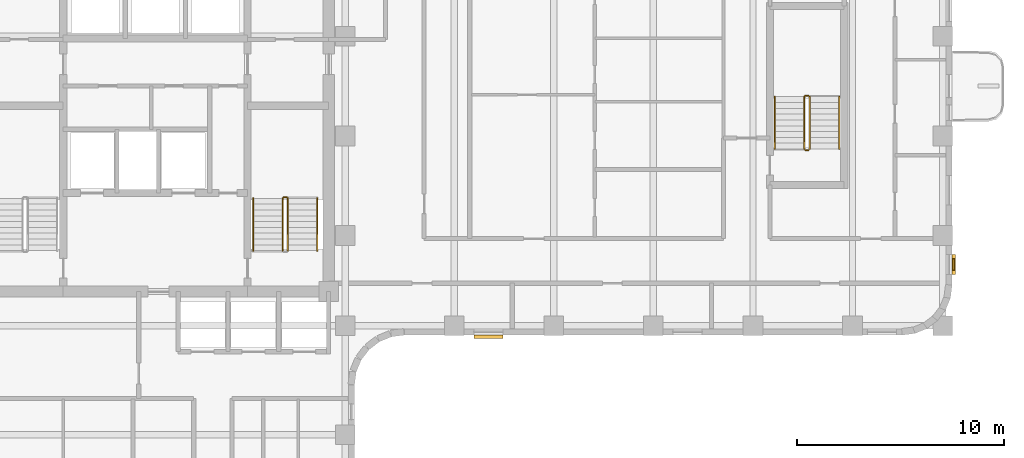
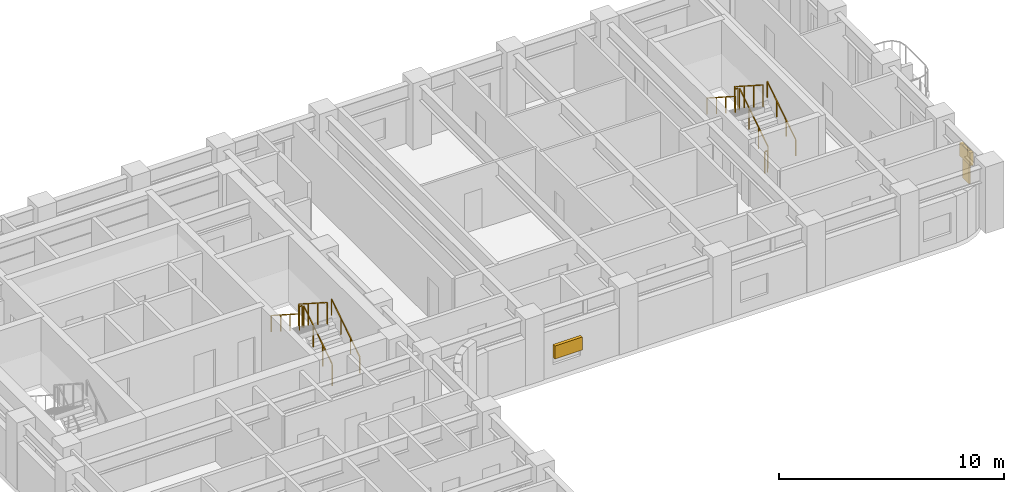
# One storey, part 9 of 10: 11 railings, 3 shading devices.
"""IFC4 building model written with IfcOpenShell, lengths in metres."""

from ifc_helpers import new_model, si_unit, direction, frame, origin, origin_2d, place, context, subcontext, project, spatial, rectangle, extrude, material, type_object, element, save


model = new_model("IFC4")

# Units and contexts
model_context = context("Model", 3, precision=1e-05, world=origin(), true_north=direction((0.0, 1.0)))
body_context = subcontext(model_context, "Body", "Model", "MODEL_VIEW")
ifc_project = project(units=[si_unit("LENGTHUNIT", "METRE"), si_unit("AREAUNIT", "SQUARE_METRE"), si_unit("VOLUMEUNIT", "CUBIC_METRE"), si_unit("PLANEANGLEUNIT", "RADIAN"), si_unit("MASSUNIT", "GRAM", prefix="KILO")], contexts=[model_context])

# Site, building, storey
site_placement = place(None, origin())
site = spatial("IfcSite", under=ifc_project, at=site_placement, CompositionType="ELEMENT")
building_placement = place(site_placement, origin())
building = spatial("IfcBuilding", under=site, at=building_placement, Name="Orvandelia Arch Residences", CompositionType="ELEMENT")
storey_placement = place(building_placement, frame((0.0, 0.0, 132.39990234375)))
storey = spatial("IfcBuildingStorey", under=building, at=storey_placement, Name="L34", CompositionType="ELEMENT", Elevation=132.39990234375)

# Railings
ifc_material_1 = material(Name="Brushed Stainless Steel 304", Category="steel")
railing_type_1 = type_object("IfcRailingType", Name="RL-STAIR-GD1120", PredefinedType="GUARDRAIL", material=ifc_material_1)
railing_1_placement = place(storey_placement, frame((20.780029296875, 32.8701171875, 0.18017578125)))
element("IfcRailing", 1, at=railing_1_placement, inside=storey, type_object=railing_type_1, Name="L34 ST-2 stair guard 1", PredefinedType="GUARDRAIL", context=body_context, shape_type="SweptSolid", body=[
    extrude(rectangle(XDim=0.048095703125, YDim=0.048095703125, at=origin_2d()), frame((0.0, 0.0, 1.17578125), z_axis=(0.0, 0.841175827307, 0.540761710511), x_axis=(-1.0, 0.0, 0.0)), (0.0, 0.0, 1.0), 2.99560546875),
    extrude(rectangle(XDim=0.0419921875, YDim=0.0419921875, at=origin_2d()), origin(), (0.0, 0.0, 1.0), 1.15185546875),
    extrude(rectangle(XDim=0.0419921875, YDim=0.0419921875, at=origin_2d()), frame((0.0, 0.83984375, 0.5400390625)), (0.0, 0.0, 1.0), 1.15185546875),
    extrude(rectangle(XDim=0.0419921875, YDim=0.0419921875, at=origin_2d()), frame((0.0, 1.679931640625, 1.079833984375)), (0.0, 0.0, 1.0), 1.15185546875),
    extrude(rectangle(XDim=0.0419921875, YDim=0.0419921875, at=origin_2d()), frame((0.0, 2.519775390625, 1.619873046875)), (0.0, 0.0, 1.0), 1.15185546875),
])
railing_2_placement = place(storey_placement, frame((20.72998046875, 35.43994140625, 1.800048828125)))
element("IfcRailing", 2, at=railing_2_placement, inside=storey, type_object=railing_type_1, Name="L34 ST-2 stair guard 2", PredefinedType="GUARDRAIL", context=body_context, shape_type="SweptSolid", body=[
    extrude(rectangle(XDim=0.048095703125, YDim=0.048095703125, at=origin_2d()), frame((0.0, 0.0, 1.17578125), z_axis=(-1.0, 0.0, 0.0), x_axis=(0.0, -1.0, 0.0)), (0.0, 0.0, 1.0), 0.14990234375),
    extrude(rectangle(XDim=0.0419921875, YDim=0.0419921875, at=origin_2d()), origin(), (0.0, 0.0, 1.0), 1.15185546875),
    extrude(rectangle(XDim=0.0419921875, YDim=0.0419921875, at=origin_2d()), frame((-0.14990234375, 0.0, 0.0)), (0.0, 0.0, 1.0), 1.15185546875),
])
railing_3_placement = place(storey_placement, frame((20.530029296875, 35.389892578125, 1.97998046875)))
element("IfcRailing", 3, at=railing_3_placement, inside=storey, type_object=railing_type_1, Name="L34 ST-2 stair guard 3", PredefinedType="GUARDRAIL", context=body_context, shape_type="SweptSolid", body=[
    extrude(rectangle(XDim=0.048095703125, YDim=0.048095703125, at=origin_2d()), frame((0.0, 0.0, 1.17578125), z_axis=(0.0, -0.841138753965, 0.540819375188), x_axis=(1.0, 0.0, 0.0)), (0.0, 0.0, 1.0), 2.99560546875),
    extrude(rectangle(XDim=0.0419921875, YDim=0.0419921875, at=origin_2d()), origin(), (0.0, 0.0, 1.0), 1.15185546875),
    extrude(rectangle(XDim=0.0419921875, YDim=0.0419921875, at=origin_2d()), frame((0.0, -0.83984375, 0.5400390625)), (0.0, 0.0, 1.0), 1.15185546875),
    extrude(rectangle(XDim=0.0419921875, YDim=0.0419921875, at=origin_2d()), frame((0.0, -1.679931640625, 1.080078125)), (0.0, 0.0, 1.0), 1.15185546875),
    extrude(rectangle(XDim=0.0419921875, YDim=0.0419921875, at=origin_2d()), frame((0.0, -2.519775390625, 1.6201171875)), (0.0, 0.0, 1.0), 1.15185546875),
])
railing_4_placement = place(storey_placement, frame((45.929931640625, 37.77001953125, 0.18017578125)))
element("IfcRailing", 4, at=railing_4_placement, inside=storey, type_object=railing_type_1, Name="L34 ST-3 stair guard 1", PredefinedType="GUARDRAIL", context=body_context, shape_type="SweptSolid", body=[
    extrude(rectangle(XDim=0.048095703125, YDim=0.048095703125, at=origin_2d()), frame((0.0, 0.0, 1.17578125), z_axis=(0.0, 0.841199657755, 0.540724639528), x_axis=(-1.0, 0.0, 0.0)), (0.0, 0.0, 1.0), 2.995849609375),
    extrude(rectangle(XDim=0.0419921875, YDim=0.0419921875, at=origin_2d()), origin(), (0.0, 0.0, 1.0), 1.15185546875),
    extrude(rectangle(XDim=0.0419921875, YDim=0.0419921875, at=origin_2d()), frame((0.0, 0.840087890625, 0.5400390625)), (0.0, 0.0, 1.0), 1.15185546875),
    extrude(rectangle(XDim=0.0419921875, YDim=0.0419921875, at=origin_2d()), frame((0.0, 1.679931640625, 1.079833984375)), (0.0, 0.0, 1.0), 1.15185546875),
    extrude(rectangle(XDim=0.0419921875, YDim=0.0419921875, at=origin_2d()), frame((0.0, 2.52001953125, 1.619873046875)), (0.0, 0.0, 1.0), 1.15185546875),
])
railing_5_placement = place(storey_placement, frame((45.8798828125, 40.340087890625, 1.800048828125)))
element("IfcRailing", 5, at=railing_5_placement, inside=storey, type_object=railing_type_1, Name="L34 ST-3 stair guard 2", PredefinedType="GUARDRAIL", context=body_context, shape_type="SweptSolid", body=[
    extrude(rectangle(XDim=0.048095703125, YDim=0.048095703125, at=origin_2d()), frame((0.0, 0.0, 1.17578125), z_axis=(-1.0, 0.0, 0.0), x_axis=(0.0, -1.0, 0.0)), (0.0, 0.0, 1.0), 0.14990234375),
    extrude(rectangle(XDim=0.0419921875, YDim=0.0419921875, at=origin_2d()), origin(), (0.0, 0.0, 1.0), 1.15185546875),
    extrude(rectangle(XDim=0.0419921875, YDim=0.0419921875, at=origin_2d()), frame((-0.14990234375, 0.0, 0.0)), (0.0, 0.0, 1.0), 1.15185546875),
])
railing_6_placement = place(storey_placement, frame((45.679931640625, 40.2900390625, 1.97998046875)))
element("IfcRailing", 6, at=railing_6_placement, inside=storey, type_object=railing_type_1, Name="L34 ST-3 stair guard 3", PredefinedType="GUARDRAIL", context=body_context, shape_type="SweptSolid", body=[
    extrude(rectangle(XDim=0.048095703125, YDim=0.048095703125, at=origin_2d()), frame((0.0, 0.0, 1.17578125), z_axis=(0.0, -0.841162588446, 0.540782303519), x_axis=(1.0, 0.0, 0.0)), (0.0, 0.0, 1.0), 2.995849609375),
    extrude(rectangle(XDim=0.0419921875, YDim=0.0419921875, at=origin_2d()), origin(), (0.0, 0.0, 1.0), 1.15185546875),
    extrude(rectangle(XDim=0.0419921875, YDim=0.0419921875, at=origin_2d()), frame((0.0, -0.840087890625, 0.5400390625)), (0.0, 0.0, 1.0), 1.15185546875),
    extrude(rectangle(XDim=0.0419921875, YDim=0.0419921875, at=origin_2d()), frame((0.0, -1.679931640625, 1.080078125)), (0.0, 0.0, 1.0), 1.15185546875),
    extrude(rectangle(XDim=0.0419921875, YDim=0.0419921875, at=origin_2d()), frame((0.0, -2.52001953125, 1.6201171875)), (0.0, 0.0, 1.0), 1.15185546875),
])
railing_7_placement = place(storey_placement, frame((45.8798828125, 37.719970703125, 0.0)))
element("IfcRailing", 7, at=railing_7_placement, inside=storey, type_object=railing_type_1, Name="L34 ST-3 stair guard 4", PredefinedType="GUARDRAIL", context=body_context, shape_type="SweptSolid", body=[
    extrude(rectangle(XDim=0.048095703125, YDim=0.048095703125, at=origin_2d()), frame((0.0, 0.0, 1.17578125), z_axis=(-1.0, 0.0, 0.0), x_axis=(0.0, -1.0, 0.0)), (0.0, 0.0, 1.0), 0.14990234375),
    extrude(rectangle(XDim=0.0419921875, YDim=0.0419921875, at=origin_2d()), origin(), (0.0, 0.0, 1.0), 1.15185546875),
    extrude(rectangle(XDim=0.0419921875, YDim=0.0419921875, at=origin_2d()), frame((-0.14990234375, 0.0, 0.0)), (0.0, 0.0, 1.0), 1.15185546875),
])
railing_type_2 = type_object("IfcRailingType", Name="RL-STAIR-HR920", PredefinedType="HANDRAIL", material=ifc_material_1)
railing_8_placement = place(storey_placement, frame((22.199951171875, 32.8701171875, 0.360107421875)))
element("IfcRailing", 8, at=railing_8_placement, inside=storey, type_object=railing_type_2, Name="L34 ST-2 stair handrail 1", PredefinedType="HANDRAIL", context=body_context, shape_type="SweptSolid", body=[
    extrude(rectangle(XDim=0.048095703125, YDim=0.048095703125, at=origin_2d()), frame((0.0, 0.0, 0.8759765625), z_axis=(0.0, 0.841175827307, 0.540761710511), x_axis=(-1.0, 0.0, 0.0)), (0.0, 0.0, 1.0), 2.99560546875),
    extrude(rectangle(XDim=0.0419921875, YDim=0.0419921875, at=origin_2d()), origin(), (0.0, 0.0, 1.0), 0.851806640625),
    extrude(rectangle(XDim=0.0419921875, YDim=0.0419921875, at=origin_2d()), frame((0.0, 0.83984375, 0.5400390625)), (0.0, 0.0, 1.0), 0.851806640625),
    extrude(rectangle(XDim=0.0419921875, YDim=0.0419921875, at=origin_2d()), frame((0.0, 1.679931640625, 1.079833984375)), (0.0, 0.0, 1.0), 0.851806640625),
    extrude(rectangle(XDim=0.0419921875, YDim=0.0419921875, at=origin_2d()), frame((0.0, 2.519775390625, 1.619873046875)), (0.0, 0.0, 1.0), 0.851806640625),
])
railing_9_placement = place(storey_placement, frame((19.110107421875, 35.389892578125, 2.16015625)))
element("IfcRailing", 9, at=railing_9_placement, inside=storey, type_object=railing_type_2, Name="L34 ST-2 stair handrail 2", PredefinedType="HANDRAIL", context=body_context, shape_type="SweptSolid", body=[
    extrude(rectangle(XDim=0.048095703125, YDim=0.048095703125, at=origin_2d()), frame((0.0, 0.0, 0.8759765625), z_axis=(0.0, -0.841175827307, 0.540761710511), x_axis=(1.0, 0.0, 0.0)), (0.0, 0.0, 1.0), 2.99560546875),
    extrude(rectangle(XDim=0.0419921875, YDim=0.0419921875, at=origin_2d()), origin(), (0.0, 0.0, 1.0), 0.851806640625),
    extrude(rectangle(XDim=0.0419921875, YDim=0.0419921875, at=origin_2d()), frame((0.0, -0.83984375, 0.5400390625)), (0.0, 0.0, 1.0), 0.851806640625),
    extrude(rectangle(XDim=0.0419921875, YDim=0.0419921875, at=origin_2d()), frame((0.0, -1.679931640625, 1.079833984375)), (0.0, 0.0, 1.0), 0.851806640625),
    extrude(rectangle(XDim=0.0419921875, YDim=0.0419921875, at=origin_2d()), frame((0.0, -2.519775390625, 1.619873046875)), (0.0, 0.0, 1.0), 0.851806640625),
])
railing_10_placement = place(storey_placement, frame((47.35009765625, 37.77001953125, 0.360107421875)))
element("IfcRailing", 10, at=railing_10_placement, inside=storey, type_object=railing_type_2, Name="L34 ST-3 stair handrail 1", PredefinedType="HANDRAIL", context=body_context, shape_type="SweptSolid", body=[
    extrude(rectangle(XDim=0.048095703125, YDim=0.048095703125, at=origin_2d()), frame((0.0, 0.0, 0.8759765625), z_axis=(0.0, 0.841199657755, 0.540724639528), x_axis=(-1.0, 0.0, 0.0)), (0.0, 0.0, 1.0), 2.995849609375),
    extrude(rectangle(XDim=0.0419921875, YDim=0.0419921875, at=origin_2d()), origin(), (0.0, 0.0, 1.0), 0.851806640625),
    extrude(rectangle(XDim=0.0419921875, YDim=0.0419921875, at=origin_2d()), frame((0.0, 0.840087890625, 0.5400390625)), (0.0, 0.0, 1.0), 0.851806640625),
    extrude(rectangle(XDim=0.0419921875, YDim=0.0419921875, at=origin_2d()), frame((0.0, 1.679931640625, 1.079833984375)), (0.0, 0.0, 1.0), 0.851806640625),
    extrude(rectangle(XDim=0.0419921875, YDim=0.0419921875, at=origin_2d()), frame((0.0, 2.52001953125, 1.619873046875)), (0.0, 0.0, 1.0), 0.851806640625),
])
railing_11_placement = place(storey_placement, frame((44.260009765625, 40.2900390625, 2.16015625)))
element("IfcRailing", 11, at=railing_11_placement, inside=storey, type_object=railing_type_2, Name="L34 ST-3 stair handrail 2", PredefinedType="HANDRAIL", context=body_context, shape_type="SweptSolid", body=[
    extrude(rectangle(XDim=0.048095703125, YDim=0.048095703125, at=origin_2d()), frame((0.0, 0.0, 0.8759765625), z_axis=(0.0, -0.841199657755, 0.540724639528), x_axis=(1.0, 0.0, 0.0)), (0.0, 0.0, 1.0), 2.995849609375),
    extrude(rectangle(XDim=0.0419921875, YDim=0.0419921875, at=origin_2d()), origin(), (0.0, 0.0, 1.0), 0.851806640625),
    extrude(rectangle(XDim=0.0419921875, YDim=0.0419921875, at=origin_2d()), frame((0.0, -0.840087890625, 0.5400390625)), (0.0, 0.0, 1.0), 0.851806640625),
    extrude(rectangle(XDim=0.0419921875, YDim=0.0419921875, at=origin_2d()), frame((0.0, -1.679931640625, 1.079833984375)), (0.0, 0.0, 1.0), 0.851806640625),
    extrude(rectangle(XDim=0.0419921875, YDim=0.0419921875, at=origin_2d()), frame((0.0, -2.52001953125, 1.619873046875)), (0.0, 0.0, 1.0), 0.851806640625),
])

# Shading devices
ifc_material_2 = material(Name="Anodised Champagne-Bronze Extruded Aluminium", Category="aluminium")
shading_device_type_1 = type_object("IfcShadingDeviceType", Name="SHD-JALOUSIE-SCREEN", PredefinedType="JALOUSIE", material=ifc_material_2)
shading_device_1_placement = place(storey_placement, frame((52.8798828125, 32.202392578125, 1.55029296875), z_axis=(0.0, 0.0, 1.0), x_axis=(0.0, -1.0, 0.0)))
element("IfcShadingDevice", 12, at=shading_device_1_placement, inside=storey, type_object=shading_device_type_1, Name="Bronze Jalousie Sun-Shade L34-003", PredefinedType="JALOUSIE", context=body_context, shape_type="SweptSolid", body=[
    extrude(rectangle(XDim=0.949951171875, YDim=0.159912109375, at=origin_2d()), origin(), (0.0, 0.0, 1.0), 0.699951171875),
])
shading_device_2_placement = place(storey_placement, frame((30.447509765625, 28.719970703125, 1.05029296875), z_axis=(0.0, 0.0, 1.0), x_axis=(-1.0, 0.0, 0.0)))
element("IfcShadingDevice", 13, at=shading_device_2_placement, inside=storey, type_object=shading_device_type_1, Name="Bronze Jalousie Sun-Shade L34-004", PredefinedType="JALOUSIE", context=body_context, shape_type="SweptSolid", body=[
    extrude(rectangle(XDim=1.39990234375, YDim=0.159912109375, at=origin_2d()), origin(), (0.0, 0.0, 1.0), 0.699951171875),
])
ifc_material_3 = material(Name="Marine-Grade Perforated Aluminium Storm Shutter", Category="aluminium")
shading_device_type_2 = type_object("IfcShadingDeviceType", Name="SHD-STORM-SHUTTER", PredefinedType="SHUTTER", material=ifc_material_3)
shading_device_3_placement = place(storey_placement, frame((52.8798828125, 32.202392578125, 0.4501953125), z_axis=(0.0, 0.0, 1.0), x_axis=(0.0, -1.0, 0.0)))
element("IfcShadingDevice", 14, at=shading_device_3_placement, inside=storey, type_object=shading_device_type_2, Name="Operable Typhoon Storm Shutter L34-003", PredefinedType="SHUTTER", context=body_context, shape_type="SweptSolid", body=[
    extrude(rectangle(XDim=0.550048828125, YDim=0.080078125, at=origin_2d()), origin(), (0.0, 0.0, 1.0), 1.800048828125),
])

save(model, "model.ifc")
